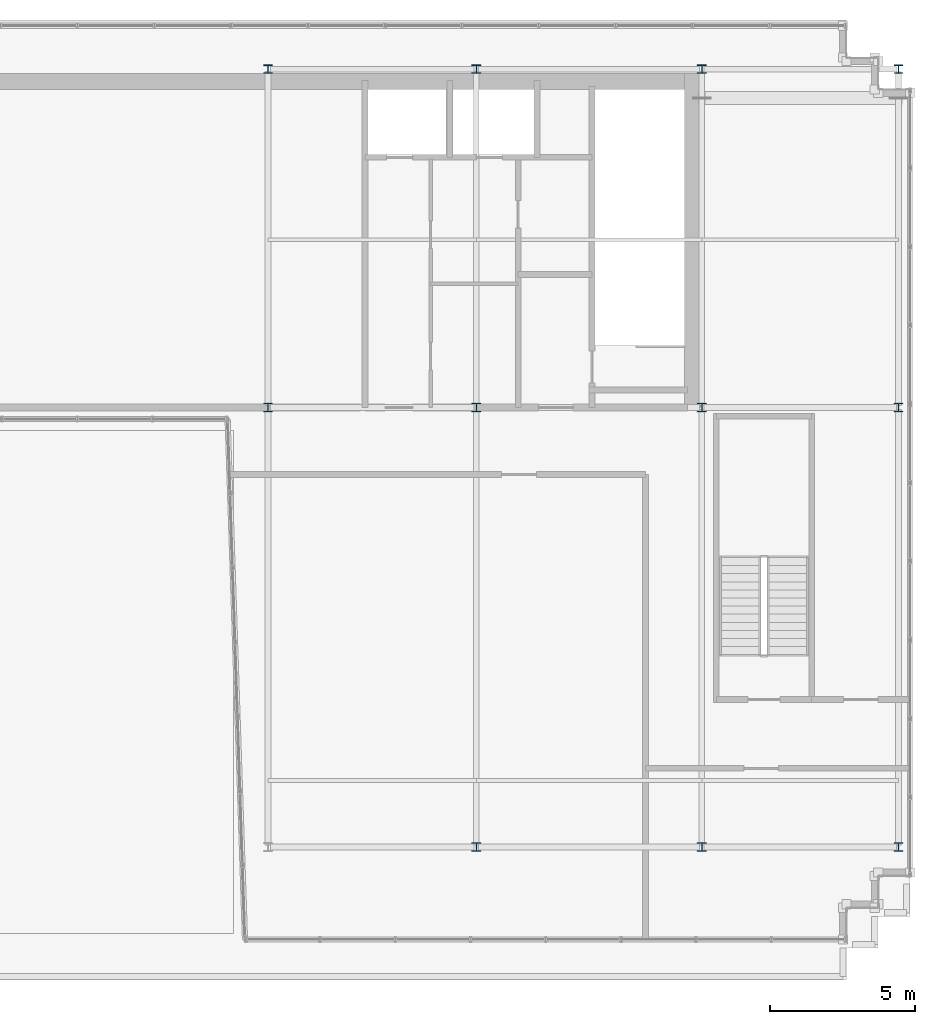
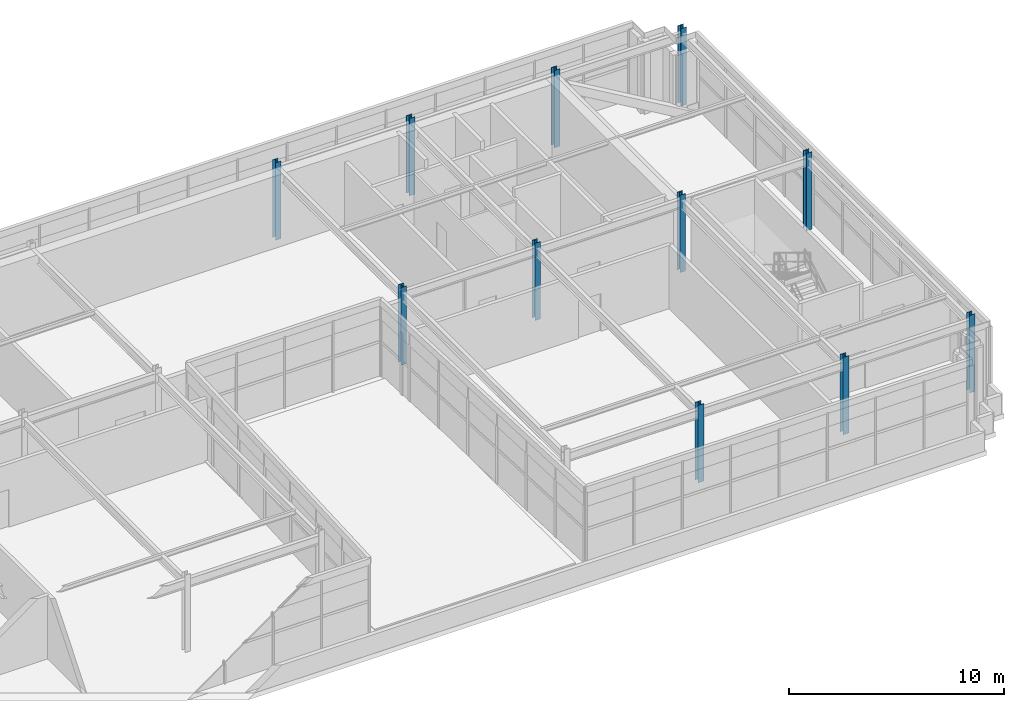
# One storey, part 2 of 37: 11 columns.
"""IFC4 building model written with IfcOpenShell, lengths in metres."""

from ifc_helpers import new_model, si_unit, direction, frame, origin, origin_2d, place, context, subcontext, project, spatial, i_section, extrude, source, transform, mapped, material, material_profile, profile_set, type_object, element, save


model = new_model("IFC4")

# Units and contexts
model_context = context("Model", 3, precision=1e-05, world=origin(), true_north=direction((0.0, 1.0)))
body_context = subcontext(model_context, "Body", "Model", "MODEL_VIEW")
ifc_project = project(units=[si_unit("LENGTHUNIT", "METRE"), si_unit("AREAUNIT", "SQUARE_METRE"), si_unit("VOLUMEUNIT", "CUBIC_METRE"), si_unit("PLANEANGLEUNIT", "RADIAN"), si_unit("MASSUNIT", "GRAM", prefix="KILO")], contexts=[model_context])

# Site, building, storey
site_placement = place(None, origin())
site = spatial("IfcSite", under=ifc_project, at=site_placement, CompositionType="ELEMENT")
building_placement = place(site_placement, origin())
building = spatial("IfcBuilding", under=site, at=building_placement, Name="Trelvane Seafront Commons", CompositionType="ELEMENT")
storey_placement = place(building_placement, frame((0.0, 0.0, 303.5)))
storey = spatial("IfcBuildingStorey", under=building, at=storey_placement, Name="L79", CompositionType="ELEMENT", Elevation=303.5)

# Columns
ifc_material = material(Name="Steel SM355 (S355)", Category="steel")
ifc_material_profile = material_profile(ifc_material, i_section(OverallWidth=0.300048828125, OverallDepth=0.300048828125, WebThickness=0.014892578125, FlangeThickness=0.02392578125, at=origin_2d()), Name="HD-300x300x15x24")
ifc_profile_set = profile_set([ifc_material_profile], Name="Steel SM355 (S355)")
column_type = type_object("IfcColumnType", Name="STR-CROWN-FRAME-COL", PredefinedType="COLUMN", material=ifc_profile_set)
shared_shape = source(origin(), body_context, "Body", "SweptSolid", [
    extrude(i_section(OverallWidth=0.300048828125, OverallDepth=0.300048828125, WebThickness=0.014892578125, FlangeThickness=0.02392578125, at=origin_2d()), origin(), (0.0, 0.0, 1.0), 4.39990234375),
])
for number, where, z_axis, x_axis, name in (
    (1, (43.800048828125, 33.39990234375, 0.0), (0.0, 0.0, 1.0), (1.0, 0.0, 0.0), "L79 CROWN FRAME Column CRN-5-2"),
    (2, (43.800048828125, 45.10009765625, 0.0), (0.0, 0.0, 1.0), (1.0, 0.0, 0.0), "L79 CROWN FRAME Column CRN-5-3"),
    (3, (51.0, 18.199951171875, 0.0), (0.0, 0.0, 1.0), (1.0, 0.0, 0.0), "L79 CROWN FRAME Column CRN-6-1"),
    (4, (51.0, 33.39990234375, 0.0), (0.0, 0.0, 1.0), (1.0, 0.0, 0.0), "L79 CROWN FRAME Column CRN-6-2"),
    (5, (51.0, 45.10009765625, 0.0), (0.0, 0.0, 1.0), (1.0, 0.0, 0.0), "L79 CROWN FRAME Column CRN-6-3"),
    (6, (58.800048828125, 18.199951171875, 0.0), (0.0, 0.0, 1.0), (1.0, 0.0, 0.0), "L79 CROWN FRAME Column CRN-7-1"),
    (7, (58.800048828125, 33.39990234375, 0.0), (0.0, 0.0, 1.0), (1.0, 0.0, 0.0), "L79 CROWN FRAME Column CRN-7-2"),
    (8, (58.800048828125, 45.10009765625, 0.0), (0.0, 0.0, 1.0), (1.0, 0.0, 0.0), "L79 CROWN FRAME Column CRN-7-3"),
    (9, (65.60009765625, 18.199951171875, 0.0), (0.0, 0.0, 1.0), (1.0, 0.0, 0.0), "L79 CROWN FRAME Column CRN-8-1"),
    (10, (65.60009765625, 33.39990234375, 0.0), (0.0, 0.0, 1.0), (1.0, 0.0, 0.0), "L79 CROWN FRAME Column CRN-8-2"),
    (11, (65.60009765625, 45.10009765625, 0.0), (0.0, 0.0, 1.0), (1.0, 0.0, 0.0), "L79 CROWN FRAME Column CRN-8-3"),
):
    element("IfcColumn", number, at=place(storey_placement, frame(where, z_axis=z_axis, x_axis=x_axis)), inside=storey, type_object=column_type, Name=name, PredefinedType="COLUMN", context=body_context, shape_type="MappedRepresentation", body=[
        mapped(shared_shape, transform((0.0, 0.0, 0.0), x_axis=(1.0, 0.0, 0.0), y_axis=(0.0, 1.0, 0.0), z_axis=(0.0, 0.0, 1.0), scale=1.0)),
    ])

save(model, "model.ifc")
